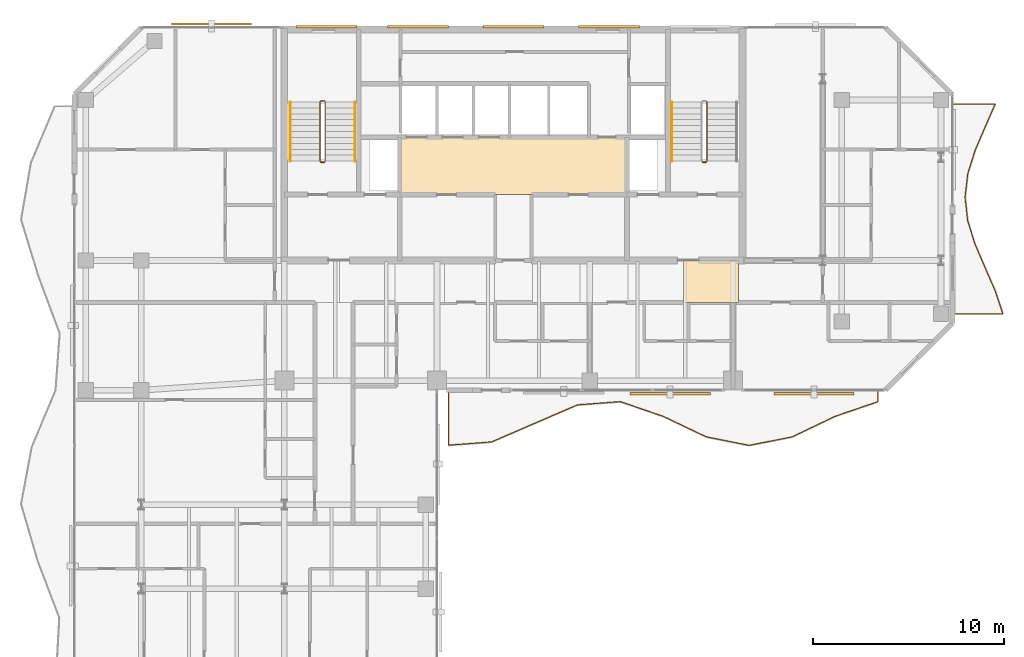
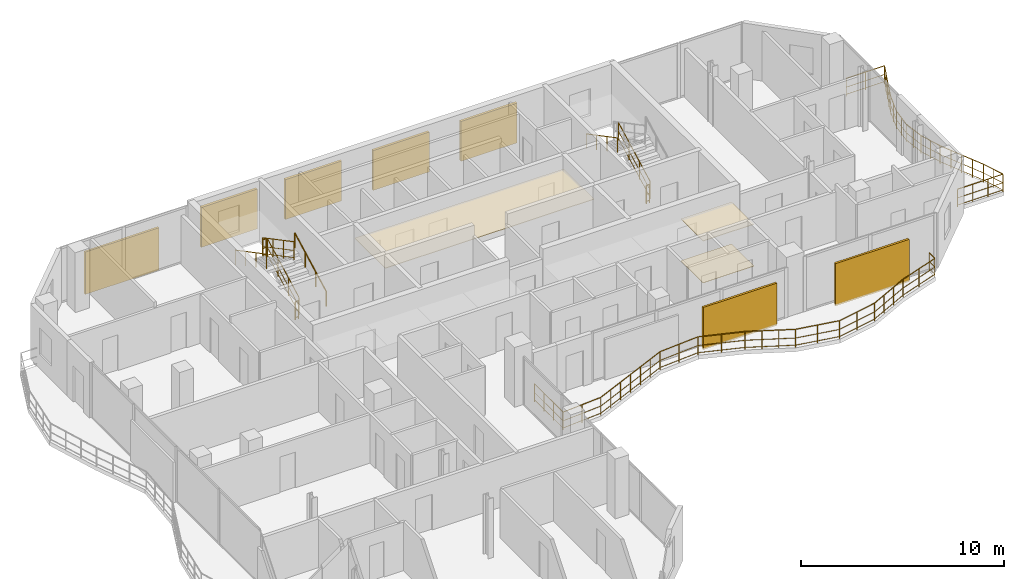
# One storey, part 23 of 24: 11 railings, 7 shading devices, 3 coverings.
"""IFC4 building model written with IfcOpenShell, lengths in metres."""

from ifc_helpers import new_model, si_unit, direction, frame, origin, origin_2d, place, context, subcontext, project, spatial, polyline, rectangle, circle, outline, extrude, material, layer, layer_set, type_object, element, save


model = new_model("IFC4")

# Units and contexts
model_context = context("Model", 3, precision=1e-05, world=origin(), true_north=direction((0.0, 1.0)))
body_context = subcontext(model_context, "Body", "Model", "MODEL_VIEW")
ifc_project = project(units=[si_unit("LENGTHUNIT", "METRE"), si_unit("AREAUNIT", "SQUARE_METRE"), si_unit("VOLUMEUNIT", "CUBIC_METRE"), si_unit("PLANEANGLEUNIT", "RADIAN"), si_unit("MASSUNIT", "GRAM", prefix="KILO")], contexts=[model_context])

# Site, building, storey
site_placement = place(None, origin())
site = spatial("IfcSite", under=ifc_project, at=site_placement, CompositionType="ELEMENT")
building_placement = place(site_placement, origin())
building = spatial("IfcBuilding", under=site, at=building_placement, Name="Catumbela Crestline Tower", CompositionType="ELEMENT")
storey_placement = place(building_placement, frame((0.0, 0.0, 161.4)))
storey = spatial("IfcBuildingStorey", under=building, at=storey_placement, Name="L41", CompositionType="ELEMENT", Elevation=161.4)

# Coverings
ifc_material_1 = material(Name="Mineral-fibre acoustic ceiling")
ifc_layer_1 = layer(ifc_material_1, 0.03, Name="Mineral-fibre acoustic ceiling")
ifc_layer_set_1 = layer_set([ifc_layer_1], Name="Mineral-fibre acoustic ceiling")
covering_type_1 = type_object("IfcCoveringType", Name="CC-AC", PredefinedType="CEILING", material=ifc_layer_set_1)
covering_1_placement = place(storey_placement, frame((0.0, 0.0, 2.65)))
element("IfcCovering", 1, at=covering_1_placement, inside=storey, type_object=covering_type_1, Name="L41 Lift Lobby Acoustic Ceiling", PredefinedType="CEILING", context=body_context, shape_type="SweptSolid", body=[
    extrude(outline(polyline([(22.05, 34.25), (33.95, 34.25), (33.95, 37.25), (22.05, 37.25), (22.05, 34.25)])), origin(), (0.0, 0.0, 1.0), 0.03),
])
covering_2_placement = place(storey_placement, frame((0.0, 0.0, 2.52)))
element("IfcCovering", 2, at=covering_2_placement, inside=storey, type_object=covering_type_1, Name="L41 Corridor Acoustic Ceiling Bay 8", PredefinedType="CEILING", context=body_context, shape_type="SweptSolid", body=[
    extrude(outline(polyline([(36.9, 28.6), (39.8, 28.6), (39.8, 30.8), (36.9, 30.8), (36.9, 28.6)])), origin(), (0.0, 0.0, 1.0), 0.03),
])
ifc_material_2 = material(Name="Angolan grey-ochre granite", Category="masonry")
ifc_layer_2 = layer(ifc_material_2, 0.025, Name="Angolan grey-ochre granite")
ifc_layer_set_2 = layer_set([ifc_layer_2], Name="Angolan grey-ochre granite")
covering_type_2 = type_object("IfcCoveringType", Name="CF-GR", PredefinedType="FLOORING", material=ifc_layer_set_2)
covering_3_placement = place(storey_placement, origin())
element("IfcCovering", 3, at=covering_3_placement, inside=storey, type_object=covering_type_2, Name="L41 Corridor Granite Flooring Bay 8", PredefinedType="FLOORING", context=body_context, shape_type="SweptSolid", body=[
    extrude(outline(polyline([(36.9, 28.6), (39.8, 28.6), (39.8, 30.8), (36.9, 30.8), (36.9, 28.6)])), origin(), (0.0, 0.0, 1.0), 0.025),
])

# Railings
ifc_material_3 = material(Name="Stainless steel EN 1.4401", Category="steel")
railing_type_1 = type_object("IfcRailingType", Name="RB-1100", PredefinedType="BALUSTRADE", material=ifc_material_3)
railing_1_placement = place(storey_placement, frame((24.6, 23.94, 0.0)))
element("IfcRailing", 4, at=railing_1_placement, inside=storey, type_object=railing_type_1, Name="L41 Private Wave Balcony Balustrade 1", PredefinedType="BALUSTRADE", context=body_context, shape_type="SweptSolid", body=[
    extrude(circle(Radius=0.024, at=origin_2d()), frame((0.0, 0.0, 1.076), z_axis=(0.0, -1.0, 0.0), x_axis=(1.0, 0.0, 0.0)), (0.0, 0.0, 1.0), 2.8213),
    extrude(circle(Radius=0.0156, at=origin_2d()), frame((0.0, 0.0, 0.55), z_axis=(0.0, -1.0, 0.0), x_axis=(1.0, 0.0, 0.0)), (0.0, 0.0, 1.0), 2.8213),
    extrude(circle(Radius=0.0156, at=origin_2d()), frame((0.0, 0.0, 0.12), z_axis=(0.0, -1.0, 0.0), x_axis=(1.0, 0.0, 0.0)), (0.0, 0.0, 1.0), 2.8213),
    extrude(circle(Radius=0.024, at=origin_2d()), frame((0.0, -2.8213, 1.076), z_axis=(0.997141170455, 0.075561142028, 0.0), x_axis=(-0.075561142028, 0.997141170455, 0.0)), (0.0, 0.0, 1.0), 2.2565),
    extrude(circle(Radius=0.0156, at=origin_2d()), frame((0.0, -2.8213, 0.55), z_axis=(0.997141170455, 0.075561142028, 0.0), x_axis=(-0.075561142028, 0.997141170455, 0.0)), (0.0, 0.0, 1.0), 2.2565),
    extrude(circle(Radius=0.0156, at=origin_2d()), frame((0.0, -2.8213, 0.12), z_axis=(0.997141170455, 0.075561142028, 0.0), x_axis=(-0.075561142028, 0.997141170455, 0.0)), (0.0, 0.0, 1.0), 2.2565),
    extrude(circle(Radius=0.024, at=origin_2d()), frame((2.25, -2.6508, 1.076), z_axis=(0.918179780553, 0.396163969316, 0.0), x_axis=(-0.396163969316, 0.918179780553, 0.0)), (0.0, 0.0, 1.0), 2.4505),
    extrude(circle(Radius=0.0156, at=origin_2d()), frame((2.25, -2.6508, 0.55), z_axis=(0.918179780553, 0.396163969316, 0.0), x_axis=(-0.396163969316, 0.918179780553, 0.0)), (0.0, 0.0, 1.0), 2.4505),
    extrude(circle(Radius=0.0156, at=origin_2d()), frame((2.25, -2.6508, 0.12), z_axis=(0.918179780553, 0.396163969316, 0.0), x_axis=(-0.396163969316, 0.918179780553, 0.0)), (0.0, 0.0, 1.0), 2.4505),
    extrude(circle(Radius=0.024, at=origin_2d()), frame((4.5, -1.68, 1.076), z_axis=(0.918179780553, 0.396163969316, 0.0), x_axis=(-0.396163969316, 0.918179780553, 0.0)), (0.0, 0.0, 1.0), 2.4505),
    extrude(circle(Radius=0.0156, at=origin_2d()), frame((4.5, -1.68, 0.55), z_axis=(0.918179780553, 0.396163969316, 0.0), x_axis=(-0.396163969316, 0.918179780553, 0.0)), (0.0, 0.0, 1.0), 2.4505),
    extrude(circle(Radius=0.0156, at=origin_2d()), frame((4.5, -1.68, 0.12), z_axis=(0.918179780553, 0.396163969316, 0.0), x_axis=(-0.396163969316, 0.918179780553, 0.0)), (0.0, 0.0, 1.0), 2.4505),
    extrude(circle(Radius=0.024, at=origin_2d()), frame((6.75, -0.7092, 1.076), z_axis=(0.997141170455, 0.075561142028, 0.0), x_axis=(-0.075561142028, 0.997141170455, 0.0)), (0.0, 0.0, 1.0), 2.2565),
    extrude(circle(Radius=0.0156, at=origin_2d()), frame((6.75, -0.7092, 0.55), z_axis=(0.997141170455, 0.075561142028, 0.0), x_axis=(-0.075561142028, 0.997141170455, 0.0)), (0.0, 0.0, 1.0), 2.2565),
    extrude(circle(Radius=0.0156, at=origin_2d()), frame((6.75, -0.7092, 0.12), z_axis=(0.997141170455, 0.075561142028, 0.0), x_axis=(-0.075561142028, 0.997141170455, 0.0)), (0.0, 0.0, 1.0), 2.2565),
    extrude(circle(Radius=0.024, at=origin_2d()), frame((9.0, -0.5387, 1.076), z_axis=(0.946065665735, -0.323974931311, 0.0), x_axis=(0.323974931311, 0.946065665735, 0.0)), (0.0, 0.0, 1.0), 2.3783),
    extrude(circle(Radius=0.0156, at=origin_2d()), frame((9.0, -0.5387, 0.55), z_axis=(0.946065665735, -0.323974931311, 0.0), x_axis=(0.323974931311, 0.946065665735, 0.0)), (0.0, 0.0, 1.0), 2.3783),
    extrude(circle(Radius=0.0156, at=origin_2d()), frame((9.0, -0.5387, 0.12), z_axis=(0.946065665735, -0.323974931311, 0.0), x_axis=(0.323974931311, 0.946065665735, 0.0)), (0.0, 0.0, 1.0), 2.3783),
    extrude(circle(Radius=0.024, at=origin_2d()), frame((11.25, -1.3092, 1.076), z_axis=(0.902132186045, -0.431459753513, 0.0), x_axis=(0.431459753513, 0.902132186045, 0.0)), (0.0, 0.0, 1.0), 2.4941),
    extrude(circle(Radius=0.0156, at=origin_2d()), frame((11.25, -1.3092, 0.55), z_axis=(0.902132186045, -0.431459753513, 0.0), x_axis=(0.431459753513, 0.902132186045, 0.0)), (0.0, 0.0, 1.0), 2.4941),
    extrude(circle(Radius=0.0156, at=origin_2d()), frame((11.25, -1.3092, 0.12), z_axis=(0.902132186045, -0.431459753513, 0.0), x_axis=(0.431459753513, 0.902132186045, 0.0)), (0.0, 0.0, 1.0), 2.4941),
    extrude(circle(Radius=0.024, at=origin_2d()), frame((13.5, -2.3853, 1.076), z_axis=(0.981022553047, -0.193893657484, 0.0), x_axis=(0.193893657484, 0.981022553047, 0.0)), (0.0, 0.0, 1.0), 2.2935),
    extrude(circle(Radius=0.0156, at=origin_2d()), frame((13.5, -2.3853, 0.55), z_axis=(0.981022553047, -0.193893657484, 0.0), x_axis=(0.193893657484, 0.981022553047, 0.0)), (0.0, 0.0, 1.0), 2.2935),
    extrude(circle(Radius=0.0156, at=origin_2d()), frame((13.5, -2.3853, 0.12), z_axis=(0.981022553047, -0.193893657484, 0.0), x_axis=(0.193893657484, 0.981022553047, 0.0)), (0.0, 0.0, 1.0), 2.2935),
    extrude(circle(Radius=0.024, at=origin_2d()), frame((15.75, -2.83, 1.076), z_axis=(0.981022553047, 0.193893657484, 0.0), x_axis=(-0.193893657484, 0.981022553047, 0.0)), (0.0, 0.0, 1.0), 2.2935),
    extrude(circle(Radius=0.0156, at=origin_2d()), frame((15.75, -2.83, 0.55), z_axis=(0.981022553047, 0.193893657484, 0.0), x_axis=(-0.193893657484, 0.981022553047, 0.0)), (0.0, 0.0, 1.0), 2.2935),
    extrude(circle(Radius=0.0156, at=origin_2d()), frame((15.75, -2.83, 0.12), z_axis=(0.981022553047, 0.193893657484, 0.0), x_axis=(-0.193893657484, 0.981022553047, 0.0)), (0.0, 0.0, 1.0), 2.2935),
    extrude(circle(Radius=0.024, at=origin_2d()), frame((18.0, -2.3853, 1.076), z_axis=(0.902132186045, 0.431459753513, 0.0), x_axis=(-0.431459753513, 0.902132186045, 0.0)), (0.0, 0.0, 1.0), 2.4941),
    extrude(circle(Radius=0.0156, at=origin_2d()), frame((18.0, -2.3853, 0.55), z_axis=(0.902132186045, 0.431459753513, 0.0), x_axis=(-0.431459753513, 0.902132186045, 0.0)), (0.0, 0.0, 1.0), 2.4941),
    extrude(circle(Radius=0.0156, at=origin_2d()), frame((18.0, -2.3853, 0.12), z_axis=(0.902132186045, 0.431459753513, 0.0), x_axis=(-0.431459753513, 0.902132186045, 0.0)), (0.0, 0.0, 1.0), 2.4941),
    extrude(circle(Radius=0.024, at=origin_2d()), frame((20.25, -1.3092, 1.076), z_axis=(0.946065665735, 0.323974931311, 0.0), x_axis=(-0.323974931311, 0.946065665735, 0.0)), (0.0, 0.0, 1.0), 2.3783),
    extrude(circle(Radius=0.0156, at=origin_2d()), frame((20.25, -1.3092, 0.55), z_axis=(0.946065665735, 0.323974931311, 0.0), x_axis=(-0.323974931311, 0.946065665735, 0.0)), (0.0, 0.0, 1.0), 2.3783),
    extrude(circle(Radius=0.0156, at=origin_2d()), frame((20.25, -1.3092, 0.12), z_axis=(0.946065665735, 0.323974931311, 0.0), x_axis=(-0.323974931311, 0.946065665735, 0.0)), (0.0, 0.0, 1.0), 2.3783),
    extrude(circle(Radius=0.024, at=origin_2d()), frame((22.5, -0.5387, 1.076), z_axis=(0.0, 1.0, 0.0), x_axis=(-1.0, 0.0, 0.0)), (0.0, 0.0, 1.0), 0.5387),
    extrude(circle(Radius=0.0156, at=origin_2d()), frame((22.5, -0.5387, 0.55), z_axis=(0.0, 1.0, 0.0), x_axis=(-1.0, 0.0, 0.0)), (0.0, 0.0, 1.0), 0.5387),
    extrude(circle(Radius=0.0156, at=origin_2d()), frame((22.5, -0.5387, 0.12), z_axis=(0.0, 1.0, 0.0), x_axis=(-1.0, 0.0, 0.0)), (0.0, 0.0, 1.0), 0.5387),
    extrude(circle(Radius=0.021, at=origin_2d()), origin(), (0.0, 0.0, 1.0), 1.052),
    extrude(circle(Radius=0.021, at=origin_2d()), frame((0.0, -0.9404, 0.0)), (0.0, 0.0, 1.0), 1.052),
    extrude(circle(Radius=0.021, at=origin_2d()), frame((0.0, -1.8809, 0.0)), (0.0, 0.0, 1.0), 1.052),
    extrude(circle(Radius=0.021, at=origin_2d()), frame((0.0, -2.8213, 0.0)), (0.0, 0.0, 1.0), 1.052),
    extrude(circle(Radius=0.021, at=origin_2d()), frame((1.125, -2.7361, 0.0)), (0.0, 0.0, 1.0), 1.052),
    extrude(circle(Radius=0.021, at=origin_2d()), frame((2.25, -2.6508, 0.0)), (0.0, 0.0, 1.0), 1.052),
    extrude(circle(Radius=0.021, at=origin_2d()), frame((3.0, -2.3272, 0.0)), (0.0, 0.0, 1.0), 1.052),
    extrude(circle(Radius=0.021, at=origin_2d()), frame((3.75, -2.0036, 0.0)), (0.0, 0.0, 1.0), 1.052),
    extrude(circle(Radius=0.021, at=origin_2d()), frame((4.5, -1.68, 0.0)), (0.0, 0.0, 1.0), 1.052),
    extrude(circle(Radius=0.021, at=origin_2d()), frame((5.25, -1.3564, 0.0)), (0.0, 0.0, 1.0), 1.052),
    extrude(circle(Radius=0.021, at=origin_2d()), frame((6.0, -1.0328, 0.0)), (0.0, 0.0, 1.0), 1.052),
    extrude(circle(Radius=0.021, at=origin_2d()), frame((6.75, -0.7092, 0.0)), (0.0, 0.0, 1.0), 1.052),
    extrude(circle(Radius=0.021, at=origin_2d()), frame((7.875, -0.624, 0.0)), (0.0, 0.0, 1.0), 1.052),
    extrude(circle(Radius=0.021, at=origin_2d()), frame((9.0, -0.5387, 0.0)), (0.0, 0.0, 1.0), 1.052),
    extrude(circle(Radius=0.021, at=origin_2d()), frame((10.125, -0.924, 0.0)), (0.0, 0.0, 1.0), 1.052),
    extrude(circle(Radius=0.021, at=origin_2d()), frame((11.25, -1.3092, 0.0)), (0.0, 0.0, 1.0), 1.052),
    extrude(circle(Radius=0.021, at=origin_2d()), frame((12.0, -1.6679, 0.0)), (0.0, 0.0, 1.0), 1.052),
    extrude(circle(Radius=0.021, at=origin_2d()), frame((12.75, -2.0266, 0.0)), (0.0, 0.0, 1.0), 1.052),
    extrude(circle(Radius=0.021, at=origin_2d()), frame((13.5, -2.3853, 0.0)), (0.0, 0.0, 1.0), 1.052),
    extrude(circle(Radius=0.021, at=origin_2d()), frame((14.625, -2.6077, 0.0)), (0.0, 0.0, 1.0), 1.052),
    extrude(circle(Radius=0.021, at=origin_2d()), frame((15.75, -2.83, 0.0)), (0.0, 0.0, 1.0), 1.052),
    extrude(circle(Radius=0.021, at=origin_2d()), frame((16.875, -2.6077, 0.0)), (0.0, 0.0, 1.0), 1.052),
    extrude(circle(Radius=0.021, at=origin_2d()), frame((18.0, -2.3853, 0.0)), (0.0, 0.0, 1.0), 1.052),
    extrude(circle(Radius=0.021, at=origin_2d()), frame((18.75, -2.0266, 0.0)), (0.0, 0.0, 1.0), 1.052),
    extrude(circle(Radius=0.021, at=origin_2d()), frame((19.5, -1.6679, 0.0)), (0.0, 0.0, 1.0), 1.052),
    extrude(circle(Radius=0.021, at=origin_2d()), frame((20.25, -1.3092, 0.0)), (0.0, 0.0, 1.0), 1.052),
    extrude(circle(Radius=0.021, at=origin_2d()), frame((21.375, -0.924, 0.0)), (0.0, 0.0, 1.0), 1.052),
    extrude(circle(Radius=0.021, at=origin_2d()), frame((22.5, -0.5387, 0.0)), (0.0, 0.0, 1.0), 1.052),
    extrude(circle(Radius=0.021, at=origin_2d()), frame((22.5, 0.0, 0.0)), (0.0, 0.0, 1.0), 1.052),
])
railing_2_placement = place(storey_placement, frame((51.06, 28.0, 0.0)))
element("IfcRailing", 5, at=railing_2_placement, inside=storey, type_object=railing_type_1, Name="L41 Private Wave Balcony Balustrade 2", PredefinedType="BALUSTRADE", context=body_context, shape_type="SweptSolid", body=[
    extrude(circle(Radius=0.024, at=origin_2d()), frame((0.0, 0.0, 1.076), z_axis=(1.0, 0.0, 0.0), x_axis=(0.0, 1.0, 0.0)), (0.0, 0.0, 1.0), 2.5799),
    extrude(circle(Radius=0.0156, at=origin_2d()), frame((0.0, 0.0, 0.55), z_axis=(1.0, 0.0, 0.0), x_axis=(0.0, 1.0, 0.0)), (0.0, 0.0, 1.0), 2.5799),
    extrude(circle(Radius=0.0156, at=origin_2d()), frame((0.0, 0.0, 0.12), z_axis=(1.0, 0.0, 0.0), x_axis=(0.0, 1.0, 0.0)), (0.0, 0.0, 1.0), 2.5799),
    extrude(circle(Radius=0.024, at=origin_2d()), frame((2.5799, 0.0, 1.076), z_axis=(-0.316576995993, 0.948566816628, 0.0), x_axis=(-0.948566816628, -0.316576995993, 0.0)), (0.0, 0.0, 1.0), 1.2885),
    extrude(circle(Radius=0.0156, at=origin_2d()), frame((2.5799, 0.0, 0.55), z_axis=(-0.316576995993, 0.948566816628, 0.0), x_axis=(-0.948566816628, -0.316576995993, 0.0)), (0.0, 0.0, 1.0), 1.2885),
    extrude(circle(Radius=0.0156, at=origin_2d()), frame((2.5799, 0.0, 0.12), z_axis=(-0.316576995993, 0.948566816628, 0.0), x_axis=(-0.948566816628, -0.316576995993, 0.0)), (0.0, 0.0, 1.0), 1.2885),
    extrude(circle(Radius=0.024, at=origin_2d()), frame((2.172, 1.2222, 1.076), z_axis=(-0.400433361112, 0.916325882702, 0.0), x_axis=(-0.916325882702, -0.400433361112, 0.0)), (0.0, 0.0, 1.0), 1.3338),
    extrude(circle(Radius=0.0156, at=origin_2d()), frame((2.172, 1.2222, 0.55), z_axis=(-0.400433361112, 0.916325882702, 0.0), x_axis=(-0.916325882702, -0.400433361112, 0.0)), (0.0, 0.0, 1.0), 1.3338),
    extrude(circle(Radius=0.0156, at=origin_2d()), frame((2.172, 1.2222, 0.12), z_axis=(-0.400433361112, 0.916325882702, 0.0), x_axis=(-0.916325882702, -0.400433361112, 0.0)), (0.0, 0.0, 1.0), 1.3338),
    extrude(circle(Radius=0.024, at=origin_2d()), frame((1.6379, 2.4444, 1.076), z_axis=(-0.39357434186, 0.919292792003, 0.0), x_axis=(-0.919292792003, -0.39357434186, 0.0)), (0.0, 0.0, 1.0), 1.3296),
    extrude(circle(Radius=0.0156, at=origin_2d()), frame((1.6379, 2.4444, 0.55), z_axis=(-0.39357434186, 0.919292792003, 0.0), x_axis=(-0.919292792003, -0.39357434186, 0.0)), (0.0, 0.0, 1.0), 1.3296),
    extrude(circle(Radius=0.0156, at=origin_2d()), frame((1.6379, 2.4444, 0.12), z_axis=(-0.39357434186, 0.919292792003, 0.0), x_axis=(-0.919292792003, -0.39357434186, 0.0)), (0.0, 0.0, 1.0), 1.3296),
    extrude(circle(Radius=0.024, at=origin_2d()), frame((1.1146, 3.6667, 1.076), z_axis=(-0.295683728071, 0.955285890691, 0.0), x_axis=(-0.955285890691, -0.295683728071, 0.0)), (0.0, 0.0, 1.0), 1.2794),
    extrude(circle(Radius=0.0156, at=origin_2d()), frame((1.1146, 3.6667, 0.55), z_axis=(-0.295683728071, 0.955285890691, 0.0), x_axis=(-0.955285890691, -0.295683728071, 0.0)), (0.0, 0.0, 1.0), 1.2794),
    extrude(circle(Radius=0.0156, at=origin_2d()), frame((1.1146, 3.6667, 0.12), z_axis=(-0.295683728071, 0.955285890691, 0.0), x_axis=(-0.955285890691, -0.295683728071, 0.0)), (0.0, 0.0, 1.0), 1.2794),
    extrude(circle(Radius=0.024, at=origin_2d()), frame((0.7363, 4.8889, 1.076), z_axis=(-0.110833136696, 0.993839029124, 0.0), x_axis=(-0.993839029124, -0.110833136696, 0.0)), (0.0, 0.0, 1.0), 1.2298),
    extrude(circle(Radius=0.0156, at=origin_2d()), frame((0.7363, 4.8889, 0.55), z_axis=(-0.110833136696, 0.993839029124, 0.0), x_axis=(-0.993839029124, -0.110833136696, 0.0)), (0.0, 0.0, 1.0), 1.2298),
    extrude(circle(Radius=0.0156, at=origin_2d()), frame((0.7363, 4.8889, 0.12), z_axis=(-0.110833136696, 0.993839029124, 0.0), x_axis=(-0.993839029124, -0.110833136696, 0.0)), (0.0, 0.0, 1.0), 1.2298),
    extrude(circle(Radius=0.024, at=origin_2d()), frame((0.6, 6.1111, 1.076), z_axis=(0.114284727476, 0.99344803642, 0.0), x_axis=(-0.99344803642, 0.114284727476, 0.0)), (0.0, 0.0, 1.0), 1.2303),
    extrude(circle(Radius=0.0156, at=origin_2d()), frame((0.6, 6.1111, 0.55), z_axis=(0.114284727476, 0.99344803642, 0.0), x_axis=(-0.99344803642, 0.114284727476, 0.0)), (0.0, 0.0, 1.0), 1.2303),
    extrude(circle(Radius=0.0156, at=origin_2d()), frame((0.6, 6.1111, 0.12), z_axis=(0.114284727476, 0.99344803642, 0.0), x_axis=(-0.99344803642, 0.114284727476, 0.0)), (0.0, 0.0, 1.0), 1.2303),
    extrude(circle(Radius=0.024, at=origin_2d()), frame((0.7406, 7.3333, 1.076), z_axis=(0.297941463031, 0.954584142235, 0.0), x_axis=(-0.954584142235, 0.297941463031, 0.0)), (0.0, 0.0, 1.0), 1.2805),
    extrude(circle(Radius=0.0156, at=origin_2d()), frame((0.7406, 7.3333, 0.55), z_axis=(0.297941463031, 0.954584142235, 0.0), x_axis=(-0.954584142235, 0.297941463031, 0.0)), (0.0, 0.0, 1.0), 1.2805),
    extrude(circle(Radius=0.0156, at=origin_2d()), frame((0.7406, 7.3333, 0.12), z_axis=(0.297941463031, 0.954584142235, 0.0), x_axis=(-0.954584142235, 0.297941463031, 0.0)), (0.0, 0.0, 1.0), 1.2805),
    extrude(circle(Radius=0.024, at=origin_2d()), frame((1.1221, 8.5556, 1.076), z_axis=(0.394427394144, 0.918927108507, 0.0), x_axis=(-0.918927108507, 0.394427394144, 0.0)), (0.0, 0.0, 1.0), 1.33),
    extrude(circle(Radius=0.0156, at=origin_2d()), frame((1.1221, 8.5556, 0.55), z_axis=(0.394427394144, 0.918927108507, 0.0), x_axis=(-0.918927108507, 0.394427394144, 0.0)), (0.0, 0.0, 1.0), 1.33),
    extrude(circle(Radius=0.0156, at=origin_2d()), frame((1.1221, 8.5556, 0.12), z_axis=(0.394427394144, 0.918927108507, 0.0), x_axis=(-0.918927108507, 0.394427394144, 0.0)), (0.0, 0.0, 1.0), 1.33),
    extrude(circle(Radius=0.024, at=origin_2d()), frame((1.6467, 9.7778, 1.076), z_axis=(0.399803560484, 0.916600847165, 0.0), x_axis=(-0.916600847165, 0.399803560484, 0.0)), (0.0, 0.0, 1.0), 1.3334),
    extrude(circle(Radius=0.0156, at=origin_2d()), frame((1.6467, 9.7778, 0.55), z_axis=(0.399803560484, 0.916600847165, 0.0), x_axis=(-0.916600847165, 0.399803560484, 0.0)), (0.0, 0.0, 1.0), 1.3334),
    extrude(circle(Radius=0.0156, at=origin_2d()), frame((1.6467, 9.7778, 0.12), z_axis=(0.399803560484, 0.916600847165, 0.0), x_axis=(-0.916600847165, 0.399803560484, 0.0)), (0.0, 0.0, 1.0), 1.3334),
    extrude(circle(Radius=0.024, at=origin_2d()), frame((2.1798, 11.0, 1.076), z_axis=(-1.0, 0.0, 0.0), x_axis=(0.0, -1.0, 0.0)), (0.0, 0.0, 1.0), 2.1798),
    extrude(circle(Radius=0.0156, at=origin_2d()), frame((2.1798, 11.0, 0.55), z_axis=(-1.0, 0.0, 0.0), x_axis=(0.0, -1.0, 0.0)), (0.0, 0.0, 1.0), 2.1798),
    extrude(circle(Radius=0.0156, at=origin_2d()), frame((2.1798, 11.0, 0.12), z_axis=(-1.0, 0.0, 0.0), x_axis=(0.0, -1.0, 0.0)), (0.0, 0.0, 1.0), 2.1798),
    extrude(circle(Radius=0.021, at=origin_2d()), origin(), (0.0, 0.0, 1.0), 1.052),
    extrude(circle(Radius=0.021, at=origin_2d()), frame((0.86, 0.0, 0.0)), (0.0, 0.0, 1.0), 1.052),
    extrude(circle(Radius=0.021, at=origin_2d()), frame((1.7199, 0.0, 0.0)), (0.0, 0.0, 1.0), 1.052),
    extrude(circle(Radius=0.021, at=origin_2d()), frame((2.5799, 0.0, 0.0)), (0.0, 0.0, 1.0), 1.052),
    extrude(circle(Radius=0.021, at=origin_2d()), frame((2.3759, 0.6111, 0.0)), (0.0, 0.0, 1.0), 1.052),
    extrude(circle(Radius=0.021, at=origin_2d()), frame((2.172, 1.2222, 0.0)), (0.0, 0.0, 1.0), 1.052),
    extrude(circle(Radius=0.021, at=origin_2d()), frame((1.9049, 1.8333, 0.0)), (0.0, 0.0, 1.0), 1.052),
    extrude(circle(Radius=0.021, at=origin_2d()), frame((1.6379, 2.4444, 0.0)), (0.0, 0.0, 1.0), 1.052),
    extrude(circle(Radius=0.021, at=origin_2d()), frame((1.3762, 3.0556, 0.0)), (0.0, 0.0, 1.0), 1.052),
    extrude(circle(Radius=0.021, at=origin_2d()), frame((1.1146, 3.6667, 0.0)), (0.0, 0.0, 1.0), 1.052),
    extrude(circle(Radius=0.021, at=origin_2d()), frame((0.9254, 4.2778, 0.0)), (0.0, 0.0, 1.0), 1.052),
    extrude(circle(Radius=0.021, at=origin_2d()), frame((0.7363, 4.8889, 0.0)), (0.0, 0.0, 1.0), 1.052),
    extrude(circle(Radius=0.021, at=origin_2d()), frame((0.6681, 5.5, 0.0)), (0.0, 0.0, 1.0), 1.052),
    extrude(circle(Radius=0.021, at=origin_2d()), frame((0.6, 6.1111, 0.0)), (0.0, 0.0, 1.0), 1.052),
    extrude(circle(Radius=0.021, at=origin_2d()), frame((0.6703, 6.7222, 0.0)), (0.0, 0.0, 1.0), 1.052),
    extrude(circle(Radius=0.021, at=origin_2d()), frame((0.7406, 7.3333, 0.0)), (0.0, 0.0, 1.0), 1.052),
    extrude(circle(Radius=0.021, at=origin_2d()), frame((0.9313, 7.9444, 0.0)), (0.0, 0.0, 1.0), 1.052),
    extrude(circle(Radius=0.021, at=origin_2d()), frame((1.1221, 8.5556, 0.0)), (0.0, 0.0, 1.0), 1.052),
    extrude(circle(Radius=0.021, at=origin_2d()), frame((1.3844, 9.1667, 0.0)), (0.0, 0.0, 1.0), 1.052),
    extrude(circle(Radius=0.021, at=origin_2d()), frame((1.6467, 9.7778, 0.0)), (0.0, 0.0, 1.0), 1.052),
    extrude(circle(Radius=0.021, at=origin_2d()), frame((1.9132, 10.3889, 0.0)), (0.0, 0.0, 1.0), 1.052),
    extrude(circle(Radius=0.021, at=origin_2d()), frame((2.1798, 11.0, 0.0)), (0.0, 0.0, 1.0), 1.052),
    extrude(circle(Radius=0.021, at=origin_2d()), frame((1.0899, 11.0, 0.0)), (0.0, 0.0, 1.0), 1.052),
    extrude(circle(Radius=0.021, at=origin_2d()), frame((0.0, 11.0, 0.0)), (0.0, 0.0, 1.0), 1.052),
])
railing_type_2 = type_object("IfcRailingType", Name="RG-1100", PredefinedType="GUARDRAIL", material=ifc_material_3)
railing_3_placement = place(storey_placement, frame((18.14, 36.0, 0.1636)))
element("IfcRailing", 6, at=railing_3_placement, inside=storey, type_object=railing_type_2, Name="L41 ST-01 stair guard 1", PredefinedType="GUARDRAIL", context=body_context, shape_type="SweptSolid", body=[
    extrude(circle(Radius=0.024, at=origin_2d()), frame((0.0, 0.0, 1.076), z_axis=(0.0, 0.884350731049, 0.466823076222), x_axis=(-1.0, 0.0, 0.0)), (0.0, 0.0, 1.0), 3.5054),
    extrude(circle(Radius=0.0156, at=origin_2d()), frame((0.0, 0.0, 0.55), z_axis=(0.0, 0.884350731049, 0.466823076222), x_axis=(-1.0, 0.0, 0.0)), (0.0, 0.0, 1.0), 3.5054),
    extrude(circle(Radius=0.0156, at=origin_2d()), frame((0.0, 0.0, 0.12), z_axis=(0.0, 0.884350731049, 0.466823076222), x_axis=(-1.0, 0.0, 0.0)), (0.0, 0.0, 1.0), 3.5054),
    extrude(circle(Radius=0.021, at=origin_2d()), origin(), (0.0, 0.0, 1.0), 1.052),
    extrude(circle(Radius=0.021, at=origin_2d()), frame((0.0, 1.0333, 0.5455)), (0.0, 0.0, 1.0), 1.052),
    extrude(circle(Radius=0.021, at=origin_2d()), frame((0.0, 2.0667, 1.0909)), (0.0, 0.0, 1.0), 1.052),
    extrude(circle(Radius=0.021, at=origin_2d()), frame((0.0, 3.1, 1.6364)), (0.0, 0.0, 1.0), 1.052),
])
railing_4_placement = place(storey_placement, frame((18.09, 39.15, 1.8)))
element("IfcRailing", 7, at=railing_4_placement, inside=storey, type_object=railing_type_2, Name="L41 ST-01 stair guard 2", PredefinedType="GUARDRAIL", context=body_context, shape_type="SweptSolid", body=[
    extrude(circle(Radius=0.024, at=origin_2d()), frame((0.0, 0.0, 1.076), z_axis=(-1.0, 0.0, 0.0), x_axis=(0.0, -1.0, 0.0)), (0.0, 0.0, 1.0), 0.18),
    extrude(circle(Radius=0.0156, at=origin_2d()), frame((0.0, 0.0, 0.55), z_axis=(-1.0, 0.0, 0.0), x_axis=(0.0, -1.0, 0.0)), (0.0, 0.0, 1.0), 0.18),
    extrude(circle(Radius=0.0156, at=origin_2d()), frame((0.0, 0.0, 0.12), z_axis=(-1.0, 0.0, 0.0), x_axis=(0.0, -1.0, 0.0)), (0.0, 0.0, 1.0), 0.18),
    extrude(circle(Radius=0.021, at=origin_2d()), origin(), (0.0, 0.0, 1.0), 1.052),
    extrude(circle(Radius=0.021, at=origin_2d()), frame((-0.18, 0.0, 0.0)), (0.0, 0.0, 1.0), 1.052),
])
railing_5_placement = place(storey_placement, frame((17.86, 39.1, 1.9636)))
element("IfcRailing", 8, at=railing_5_placement, inside=storey, type_object=railing_type_2, Name="L41 ST-01 stair guard 3", PredefinedType="GUARDRAIL", context=body_context, shape_type="SweptSolid", body=[
    extrude(circle(Radius=0.024, at=origin_2d()), frame((0.0, 0.0, 1.076), z_axis=(0.0, -0.884350731049, 0.466823076222), x_axis=(1.0, 0.0, 0.0)), (0.0, 0.0, 1.0), 3.5054),
    extrude(circle(Radius=0.0156, at=origin_2d()), frame((0.0, 0.0, 0.55), z_axis=(0.0, -0.884350731049, 0.466823076222), x_axis=(1.0, 0.0, 0.0)), (0.0, 0.0, 1.0), 3.5054),
    extrude(circle(Radius=0.0156, at=origin_2d()), frame((0.0, 0.0, 0.12), z_axis=(0.0, -0.884350731049, 0.466823076222), x_axis=(1.0, 0.0, 0.0)), (0.0, 0.0, 1.0), 3.5054),
    extrude(circle(Radius=0.021, at=origin_2d()), origin(), (0.0, 0.0, 1.0), 1.052),
    extrude(circle(Radius=0.021, at=origin_2d()), frame((0.0, -1.0333, 0.5455)), (0.0, 0.0, 1.0), 1.052),
    extrude(circle(Radius=0.021, at=origin_2d()), frame((0.0, -2.0667, 1.0909)), (0.0, 0.0, 1.0), 1.052),
    extrude(circle(Radius=0.021, at=origin_2d()), frame((0.0, -3.1, 1.6364)), (0.0, 0.0, 1.0), 1.052),
])
railing_6_placement = place(storey_placement, frame((18.09, 35.95, 0.0)))
element("IfcRailing", 9, at=railing_6_placement, inside=storey, type_object=railing_type_2, Name="L41 ST-01 stair guard 4", PredefinedType="GUARDRAIL", context=body_context, shape_type="SweptSolid", body=[
    extrude(circle(Radius=0.024, at=origin_2d()), frame((0.0, 0.0, 1.076), z_axis=(-1.0, 0.0, 0.0), x_axis=(0.0, -1.0, 0.0)), (0.0, 0.0, 1.0), 0.18),
    extrude(circle(Radius=0.0156, at=origin_2d()), frame((0.0, 0.0, 0.55), z_axis=(-1.0, 0.0, 0.0), x_axis=(0.0, -1.0, 0.0)), (0.0, 0.0, 1.0), 0.18),
    extrude(circle(Radius=0.0156, at=origin_2d()), frame((0.0, 0.0, 0.12), z_axis=(-1.0, 0.0, 0.0), x_axis=(0.0, -1.0, 0.0)), (0.0, 0.0, 1.0), 0.18),
    extrude(circle(Radius=0.021, at=origin_2d()), origin(), (0.0, 0.0, 1.0), 1.052),
    extrude(circle(Radius=0.021, at=origin_2d()), frame((-0.18, 0.0, 0.0)), (0.0, 0.0, 1.0), 1.052),
])
railing_7_placement = place(storey_placement, frame((38.14, 36.0, 0.1636)))
element("IfcRailing", 10, at=railing_7_placement, inside=storey, type_object=railing_type_2, Name="L41 ST-02 stair guard 1", PredefinedType="GUARDRAIL", context=body_context, shape_type="SweptSolid", body=[
    extrude(circle(Radius=0.024, at=origin_2d()), frame((0.0, 0.0, 1.076), z_axis=(0.0, 0.884350731049, 0.466823076222), x_axis=(-1.0, 0.0, 0.0)), (0.0, 0.0, 1.0), 3.5054),
    extrude(circle(Radius=0.0156, at=origin_2d()), frame((0.0, 0.0, 0.55), z_axis=(0.0, 0.884350731049, 0.466823076222), x_axis=(-1.0, 0.0, 0.0)), (0.0, 0.0, 1.0), 3.5054),
    extrude(circle(Radius=0.0156, at=origin_2d()), frame((0.0, 0.0, 0.12), z_axis=(0.0, 0.884350731049, 0.466823076222), x_axis=(-1.0, 0.0, 0.0)), (0.0, 0.0, 1.0), 3.5054),
    extrude(circle(Radius=0.021, at=origin_2d()), origin(), (0.0, 0.0, 1.0), 1.052),
    extrude(circle(Radius=0.021, at=origin_2d()), frame((0.0, 1.0333, 0.5455)), (0.0, 0.0, 1.0), 1.052),
    extrude(circle(Radius=0.021, at=origin_2d()), frame((0.0, 2.0667, 1.0909)), (0.0, 0.0, 1.0), 1.052),
    extrude(circle(Radius=0.021, at=origin_2d()), frame((0.0, 3.1, 1.6364)), (0.0, 0.0, 1.0), 1.052),
])
railing_8_placement = place(storey_placement, frame((38.09, 35.95, 0.0)))
element("IfcRailing", 11, at=railing_8_placement, inside=storey, type_object=railing_type_2, Name="L41 ST-02 stair guard 4", PredefinedType="GUARDRAIL", context=body_context, shape_type="SweptSolid", body=[
    extrude(circle(Radius=0.024, at=origin_2d()), frame((0.0, 0.0, 1.076), z_axis=(-1.0, 0.0, 0.0), x_axis=(0.0, -1.0, 0.0)), (0.0, 0.0, 1.0), 0.18),
    extrude(circle(Radius=0.0156, at=origin_2d()), frame((0.0, 0.0, 0.55), z_axis=(-1.0, 0.0, 0.0), x_axis=(0.0, -1.0, 0.0)), (0.0, 0.0, 1.0), 0.18),
    extrude(circle(Radius=0.0156, at=origin_2d()), frame((0.0, 0.0, 0.12), z_axis=(-1.0, 0.0, 0.0), x_axis=(0.0, -1.0, 0.0)), (0.0, 0.0, 1.0), 0.18),
    extrude(circle(Radius=0.021, at=origin_2d()), origin(), (0.0, 0.0, 1.0), 1.052),
    extrude(circle(Radius=0.021, at=origin_2d()), frame((-0.18, 0.0, 0.0)), (0.0, 0.0, 1.0), 1.052),
])
railing_type_3 = type_object("IfcRailingType", Name="RH-0900", PredefinedType="HANDRAIL", material=ifc_material_3)
railing_9_placement = place(storey_placement, frame((19.7, 36.0, 0.1636)))
element("IfcRailing", 12, at=railing_9_placement, inside=storey, type_object=railing_type_3, Name="L41 ST-01 stair handrail 1", PredefinedType="HANDRAIL", context=body_context, shape_type="SweptSolid", body=[
    extrude(circle(Radius=0.024, at=origin_2d()), frame((0.0, 0.0, 0.876), z_axis=(0.0, 0.884350731049, 0.466823076222), x_axis=(-1.0, 0.0, 0.0)), (0.0, 0.0, 1.0), 3.5054),
    extrude(circle(Radius=0.021, at=origin_2d()), origin(), (0.0, 0.0, 1.0), 0.852),
    extrude(circle(Radius=0.021, at=origin_2d()), frame((0.0, 1.0333, 0.5455)), (0.0, 0.0, 1.0), 0.852),
    extrude(circle(Radius=0.021, at=origin_2d()), frame((0.0, 2.0667, 1.0909)), (0.0, 0.0, 1.0), 0.852),
    extrude(circle(Radius=0.021, at=origin_2d()), frame((0.0, 3.1, 1.6364)), (0.0, 0.0, 1.0), 0.852),
])
for number, where, name in (
    (13, (16.3, 39.1, 1.9636), "L41 ST-01 stair handrail 2"),
    (14, (36.3, 39.1, 1.9636), "L41 ST-02 stair handrail 2"),
):
    element("IfcRailing", number, at=place(storey_placement, frame(where)), inside=storey, type_object=railing_type_3, Name=name, PredefinedType="HANDRAIL", context=body_context, shape_type="SweptSolid", body=[
        extrude(circle(Radius=0.024, at=origin_2d()), frame((0.0, 0.0, 0.876), z_axis=(0.0, -0.884350731049, 0.466823076222), x_axis=(1.0, 0.0, 0.0)), (0.0, 0.0, 1.0), 3.5054),
        extrude(circle(Radius=0.021, at=origin_2d()), origin(), (0.0, 0.0, 1.0), 0.852),
        extrude(circle(Radius=0.021, at=origin_2d()), frame((0.0, -1.0333, 0.5455)), (0.0, 0.0, 1.0), 0.852),
        extrude(circle(Radius=0.021, at=origin_2d()), frame((0.0, -2.0667, 1.0909)), (0.0, 0.0, 1.0), 0.852),
        extrude(circle(Radius=0.021, at=origin_2d()), frame((0.0, -3.1, 1.6364)), (0.0, 0.0, 1.0), 0.852),
    ])

# Shading devices
ifc_material_4 = material(Name="Extruded terracotta ceramic", Category="masonry")
shading_device_type_1 = type_object("IfcShadingDeviceType", Name="ST-180", PredefinedType="USERDEFINED", material=ifc_material_4)
shading_device_1_placement = place(storey_placement, frame((23.0, 43.04, 0.55), z_axis=(0.0, 0.0, 1.0), x_axis=(1.0, 0.0, 0.0)))
element("IfcShadingDevice", 15, at=shading_device_1_placement, inside=storey, type_object=shading_device_type_1, Name="L41 Rear Core Terracotta Brise-Soleil Screen 444", ObjectType="SCREEN", PredefinedType="USERDEFINED", context=body_context, shape_type="SweptSolid", body=[
    extrude(rectangle(XDim=3.2, YDim=0.14, at=origin_2d()), origin(), (0.0, 0.0, 1.0), 2.4),
])
shading_device_type_2 = type_object("IfcShadingDeviceType", Name="ST-260", PredefinedType="USERDEFINED", material=ifc_material_4)
for number, where, z_axis, x_axis, name in (
    (16, (18.2, 43.04, 0.55), (0.0, 0.0, 1.0), (1.0, 0.0, 0.0), "L41 Rear Core Terracotta Brise-Soleil Screen 443"),
    (17, (33.0, 43.04, 0.55), (0.0, 0.0, 1.0), (1.0, 0.0, 0.0), "L41 Rear Core Terracotta Brise-Soleil Screen 446"),
):
    element("IfcShadingDevice", number, at=place(storey_placement, frame(where, z_axis=z_axis, x_axis=x_axis)), inside=storey, type_object=shading_device_type_2, Name=name, ObjectType="SCREEN", PredefinedType="USERDEFINED", context=body_context, shape_type="SweptSolid", body=[
        extrude(rectangle(XDim=3.2, YDim=0.14, at=origin_2d()), origin(), (0.0, 0.0, 1.0), 2.4),
    ])
shading_device_type_3 = type_object("IfcShadingDeviceType", Name="ST-340", PredefinedType="USERDEFINED", material=ifc_material_4)
shading_device_2_placement = place(storey_placement, frame((28.0, 43.04, 0.55), z_axis=(0.0, 0.0, 1.0), x_axis=(1.0, 0.0, 0.0)))
element("IfcShadingDevice", 18, at=shading_device_2_placement, inside=storey, type_object=shading_device_type_3, Name="L41 Rear Core Terracotta Brise-Soleil Screen 445", ObjectType="SCREEN", PredefinedType="USERDEFINED", context=body_context, shape_type="SweptSolid", body=[
    extrude(rectangle(XDim=3.2, YDim=0.14, at=origin_2d()), origin(), (0.0, 0.0, 1.0), 2.4),
])
for number, where, z_axis, x_axis, name in (
    (19, (36.2125, 23.813, -0.1), (0.0, 0.0, 1.0), (1.0, 0.0, 0.0), "L41 Perforated Terracotta Solar Screen 452 (340 mm)"),
    (20, (43.75, 23.813, -0.1), (0.0, 0.0, 1.0), (1.0, 0.0, 0.0), "L41 Perforated Terracotta Solar Screen 453 (340 mm)"),
    (21, (12.18, 43.187, -0.1), (0.0, 0.0, 1.0), (-1.0, 0.0, 0.0), "L41 Perforated Terracotta Solar Screen 456 (340 mm)"),
):
    element("IfcShadingDevice", number, at=place(storey_placement, frame(where, z_axis=z_axis, x_axis=x_axis)), inside=storey, type_object=shading_device_type_3, Name=name, ObjectType="SCREEN", PredefinedType="USERDEFINED", context=body_context, shape_type="SweptSolid", body=[
        extrude(rectangle(XDim=4.2, YDim=0.12, at=origin_2d()), origin(), (0.0, 0.0, 1.0), 2.55),
    ])

save(model, "model.ifc")
